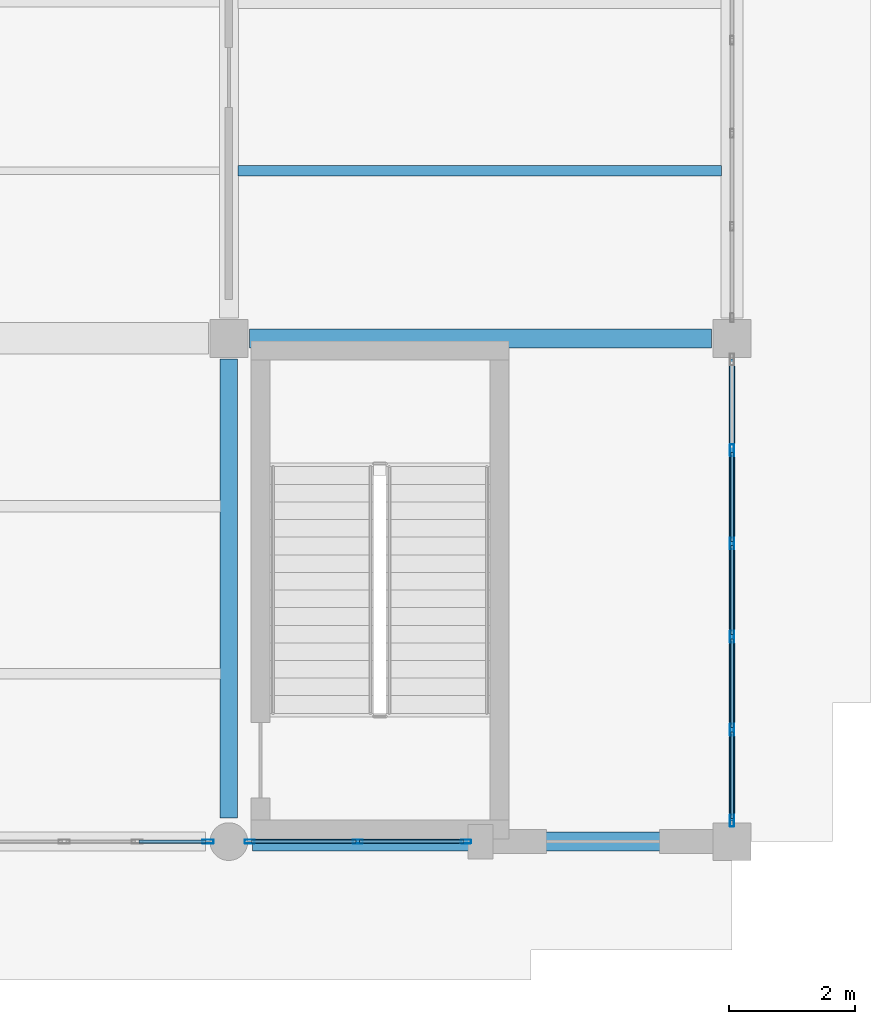
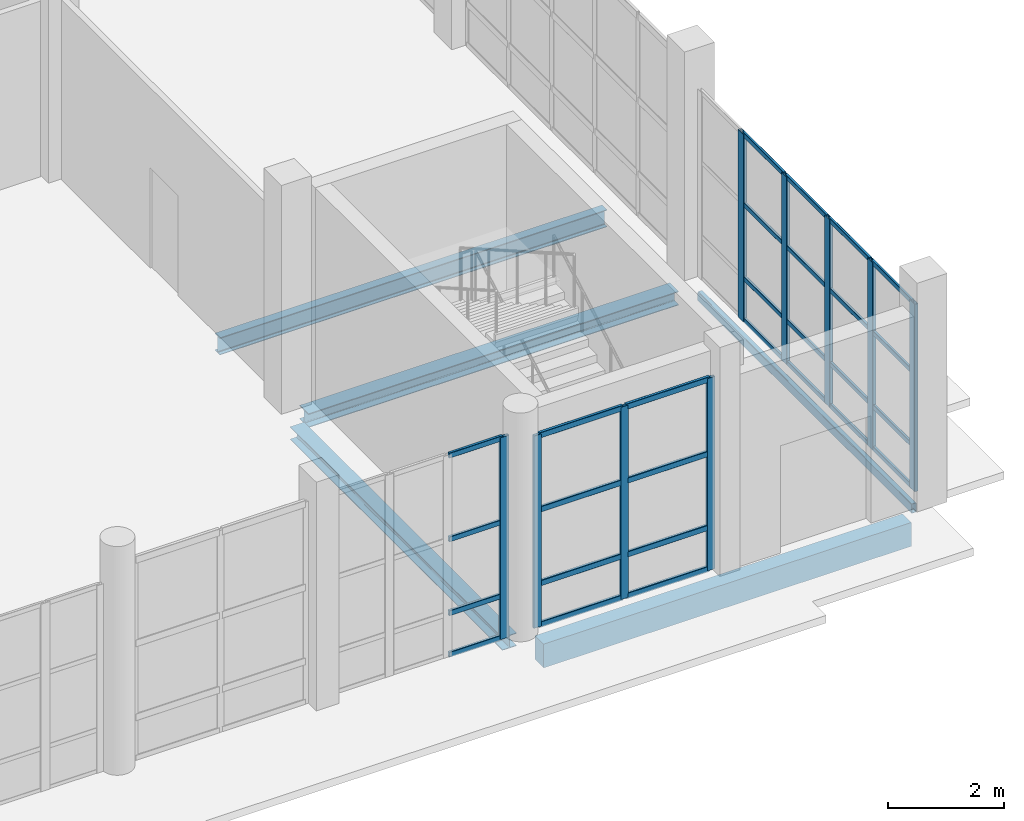
# One storey, part 69 of 156: 37 members, 5 beams, 3 elements without a shape of their own.
"""IFC4 building model written with IfcOpenShell, lengths in metres."""

from ifc_helpers import new_model, si_unit, direction, frame, origin, origin_2d, place, context, subcontext, project, spatial, rectangle, hollow_rectangle, i_section, extrude, material, material_profile, profile_set, type_object, element, aggregate, save


model = new_model("IFC4")

# Units and contexts
model_context = context("Model", 3, precision=1e-05, world=origin(), true_north=direction((0.0, 1.0)))
body_context = subcontext(model_context, "Body", "Model", "MODEL_VIEW")
ifc_project = project(units=[si_unit("LENGTHUNIT", "METRE"), si_unit("AREAUNIT", "SQUARE_METRE"), si_unit("VOLUMEUNIT", "CUBIC_METRE"), si_unit("PLANEANGLEUNIT", "RADIAN"), si_unit("MASSUNIT", "GRAM", prefix="KILO")], contexts=[model_context])

# Site, building, storey
site_placement = place(None, origin())
site = spatial("IfcSite", under=ifc_project, at=site_placement, CompositionType="ELEMENT")
building_placement = place(site_placement, origin())
building = spatial("IfcBuilding", under=site, at=building_placement, Name="Luwemba Playhouse", CompositionType="ELEMENT")
storey_placement = place(building_placement, origin())
storey = spatial("IfcBuildingStorey", under=building, at=storey_placement, Name="L00", CompositionType="ELEMENT", Elevation=0.0)

# Beams
ifc_material_1 = material(Name="Steel S355", Category="steel")
ifc_material_profile_1 = material_profile(ifc_material_1, i_section(OverallWidth=0.280029296875, OverallDepth=0.27001953125, WebThickness=0.008056640625, FlangeThickness=0.012939453125, FilletRadius=0.02392578125, at=origin_2d()))
ifc_profile_set_1 = profile_set([ifc_material_profile_1], Name="Steel S355")
beam_type_1 = type_object("IfcBeamType", Name="BM-SB02", PredefinedType="BEAM", material=ifc_profile_set_1)
beam_1_placement = place(storey_placement, frame((164.0, 3.375, -0.43505859375), z_axis=(0.0, 1.0, 0.0), x_axis=(-1.0, 0.0, 0.0)))
element("IfcBeam", 1, at=beam_1_placement, inside=storey, type_object=beam_type_1, Name="L00 transverse girder 0248", PredefinedType="BEAM", context=body_context, shape_type="SweptSolid", body=[
    extrude(i_section(OverallWidth=0.280029296875, OverallDepth=0.27001953125, WebThickness=0.008056640625, FlangeThickness=0.012939453125, FilletRadius=0.02392578125, at=origin_2d()), origin(), (0.0, 0.0, 1.0), 7.300048828125),
])
ifc_material_profile_2 = material_profile(ifc_material_1, i_section(OverallWidth=0.300048828125, OverallDepth=0.2900390625, WebThickness=0.008544921875, FlangeThickness=0.013916015625, FilletRadius=0.027099609375, at=origin_2d()))
ifc_profile_set_2 = profile_set([ifc_material_profile_2], Name="Steel S355")
beam_type_2 = type_object("IfcBeamType", Name="BM-SB03", PredefinedType="BEAM", material=ifc_profile_set_2)
beam_2_placement = place(storey_placement, frame((164.324951171875, 11.0, -0.445068359375), z_axis=(1.0, 0.0, 0.0), x_axis=(0.0, 1.0, 0.0)))
element("IfcBeam", 2, at=beam_2_placement, inside=storey, type_object=beam_type_2, Name="L00 grid girder 0215", PredefinedType="BEAM", context=body_context, shape_type="SweptSolid", body=[
    extrude(i_section(OverallWidth=0.300048828125, OverallDepth=0.2900390625, WebThickness=0.008544921875, FlangeThickness=0.013916015625, FilletRadius=0.027099609375, at=origin_2d()), origin(), (0.0, 0.0, 1.0), 7.35009765625),
])
ifc_material_profile_3 = material_profile(ifc_material_1, i_section(OverallWidth=0.169921875, OverallDepth=0.360107421875, WebThickness=0.008056640625, FlangeThickness=0.0126953125, FilletRadius=0.01806640625, at=origin_2d()))
ifc_profile_set_3 = profile_set([ifc_material_profile_3], Name="Steel S355")
beam_type_3 = type_object("IfcBeamType", Name="BM-SJ07", PredefinedType="JOIST", material=ifc_profile_set_3)
beam_3_placement = place(storey_placement, frame((164.14599609375, 13.666748046875, -0.47998046875), z_axis=(1.0, 0.0, 0.0), x_axis=(0.0, 1.0, 0.0)))
element("IfcBeam", 3, at=beam_3_placement, inside=storey, type_object=beam_type_3, Name="L00 composite floor joist 0189", PredefinedType="JOIST", context=body_context, shape_type="SweptSolid", body=[
    extrude(i_section(OverallWidth=0.169921875, OverallDepth=0.360107421875, WebThickness=0.008056640625, FlangeThickness=0.0126953125, FilletRadius=0.01806640625, at=origin_2d()), origin(), (0.0, 0.0, 1.0), 7.68310546875),
])
ifc_material_2 = material(Name="Concrete C40/50", Category="concrete")
ifc_material_profile_4 = material_profile(ifc_material_2, rectangle(XDim=0.300048828125, YDim=0.5, at=origin_2d()))
ifc_profile_set_4 = profile_set([ifc_material_profile_4], Name="Concrete C40/50")
beam_type_4 = type_object("IfcBeamType", Name="BM-SP1", PredefinedType="SPANDREL", material=ifc_profile_set_4)
beam_4_placement = place(storey_placement, frame((164.375, 3.0, -0.550048828125), z_axis=(1.0, 0.0, 0.0), x_axis=(0.0, 1.0, 0.0)))
element("IfcBeam", 4, at=beam_4_placement, inside=storey, type_object=beam_type_4, Name="L00 grid girder 0208", PredefinedType="SPANDREL", context=body_context, shape_type="SweptSolid", body=[
    extrude(rectangle(XDim=0.300048828125, YDim=0.5, at=origin_2d()), origin(), (0.0, 0.0, 1.0), 7.300048828125),
])
ifc_material_profile_5 = material_profile(ifc_material_1, hollow_rectangle(XDim=0.10009765625, YDim=0.199951171875, WallThickness=0.008056640625, InnerFilletRadius=0.011962890625, OuterFilletRadius=0.02001953125, at=origin_2d()))
ifc_profile_set_5 = profile_set([ifc_material_profile_5], Name="Steel S355")
beam_type_5 = type_object("IfcBeamType", Name="BM-SSP2", PredefinedType="SPANDREL", material=ifc_profile_set_5)
beam_5_placement = place(storey_placement, frame((172.0, 3.324951171875, -0.39990234375), z_axis=(0.0, 1.0, 0.0), x_axis=(-1.0, 0.0, 0.0)))
element("IfcBeam", 5, at=beam_5_placement, inside=storey, type_object=beam_type_5, Name="L00 transverse girder 0251", PredefinedType="SPANDREL", context=body_context, shape_type="SweptSolid", body=[
    extrude(hollow_rectangle(XDim=0.10009765625, YDim=0.199951171875, WallThickness=0.008056640625, InnerFilletRadius=0.011962890625, OuterFilletRadius=0.02001953125, at=origin_2d()), origin(), (0.0, 0.0, 1.0), 7.35009765625),
])

# Curtain wall, members
ifc_material_3 = material(Name="Solar-control double glazing", Category="glass")
curtain_wall_type_1 = type_object("IfcCurtainWallType", Name="CW-CW60", PredefinedType="USERDEFINED", material=ifc_material_3)
curtain_wall_1_placement = place(storey_placement, origin())
curtain_wall_1 = element("IfcCurtainWall", 6, at=curtain_wall_1_placement, inside=storey, type_object=curtain_wall_type_1, Name="L00 V5E unitised curtain wall 071", ObjectType="UNITISED GLAZING", PredefinedType="USERDEFINED")
ifc_material_4 = material(Name="Aluminium 6063-T6", Category="aluminium")
ifc_material_profile_6 = material_profile(ifc_material_4, hollow_rectangle(XDim=0.06005859375, YDim=0.159912109375, WallThickness=0.00390625, InnerFilletRadius=0.006103515625, OuterFilletRadius=0.010009765625, at=origin_2d()))
ifc_profile_set_6 = profile_set([ifc_material_profile_6], Name="Aluminium 6063-T6")
member_type_1 = type_object("IfcMemberType", Name="CWM-M1", PredefinedType="MULLION", material=ifc_profile_set_6)
member_1_placement = place(storey_placement, frame((167.77001953125, 3.0, 0.0), z_axis=(0.0, 0.0, 1.0), x_axis=(0.0, -1.0, 0.0)))
member_1 = element("IfcMember", 7, at=member_1_placement, type_object=member_type_1, Name="CW60 mullion 1", PredefinedType="MULLION", context=body_context, shape_type="SweptSolid", body=[
    extrude(hollow_rectangle(XDim=0.06005859375, YDim=0.159912109375, WallThickness=0.00390625, InnerFilletRadius=0.006103515625, OuterFilletRadius=0.010009765625, at=origin_2d()), origin(), (0.0, 0.0, 1.0), 4.034912109375),
])
member_2_placement = place(storey_placement, frame((166.050048828125, 3.0, 0.0), z_axis=(0.0, 0.0, 1.0), x_axis=(0.0, -1.0, 0.0)))
member_2 = element("IfcMember", 8, at=member_2_placement, type_object=member_type_1, Name="CW60 mullion 2", PredefinedType="MULLION", context=body_context, shape_type="SweptSolid", body=[
    extrude(hollow_rectangle(XDim=0.06005859375, YDim=0.159912109375, WallThickness=0.00390625, InnerFilletRadius=0.006103515625, OuterFilletRadius=0.010009765625, at=origin_2d()), origin(), (0.0, 0.0, 1.0), 4.034912109375),
])
member_3_placement = place(storey_placement, frame((164.330078125, 3.0, 0.0), z_axis=(0.0, 0.0, 1.0), x_axis=(0.0, -1.0, 0.0)))
member_3 = element("IfcMember", 9, at=member_3_placement, type_object=member_type_1, Name="CW60 mullion 3", PredefinedType="MULLION", context=body_context, shape_type="SweptSolid", body=[
    extrude(hollow_rectangle(XDim=0.06005859375, YDim=0.159912109375, WallThickness=0.00390625, InnerFilletRadius=0.006103515625, OuterFilletRadius=0.010009765625, at=origin_2d()), origin(), (0.0, 0.0, 1.0), 4.034912109375),
])

# Curtain wall, member
curtain_wall_type_2 = type_object("IfcCurtainWallType", Name="CW-CW61", PredefinedType="USERDEFINED", material=ifc_material_3)
curtain_wall_2_placement = place(storey_placement, origin())
curtain_wall_2 = element("IfcCurtainWall", 10, at=curtain_wall_2_placement, inside=storey, type_object=curtain_wall_type_2, Name="L00 V5E unitised curtain wall 072", ObjectType="UNITISED GLAZING", PredefinedType="USERDEFINED")
ifc_material_profile_7 = material_profile(ifc_material_4, hollow_rectangle(XDim=0.06494140625, YDim=0.179931640625, WallThickness=0.00439453125, InnerFilletRadius=0.0068359375, OuterFilletRadius=0.01123046875, at=origin_2d()))
ifc_profile_set_7 = profile_set([ifc_material_profile_7], Name="Aluminium 6063-T6")
member_type_2 = type_object("IfcMemberType", Name="CWM-M2", PredefinedType="MULLION", material=ifc_profile_set_7)
member_4_placement = place(storey_placement, frame((163.66748046875, 3.0, 0.0), z_axis=(0.0, 0.0, 1.0), x_axis=(0.0, -1.0, 0.0)))
member_4 = element("IfcMember", 11, at=member_4_placement, type_object=member_type_2, Name="CW61 mullion 1", PredefinedType="MULLION", context=body_context, shape_type="SweptSolid", body=[
    extrude(hollow_rectangle(XDim=0.06494140625, YDim=0.179931640625, WallThickness=0.00439453125, InnerFilletRadius=0.0068359375, OuterFilletRadius=0.01123046875, at=origin_2d()), origin(), (0.0, 0.0, 1.0), 4.235107421875),
])

# Curtain wall, members
curtain_wall_type_3 = type_object("IfcCurtainWallType", Name="CW-CW06", PredefinedType="USERDEFINED", material=ifc_material_3)
curtain_wall_3_placement = place(storey_placement, origin())
curtain_wall_3 = element("IfcCurtainWall", 12, at=curtain_wall_3_placement, inside=storey, type_object=curtain_wall_type_3, Name="L00 V5E unitised curtain wall 070", ObjectType="UNITISED GLAZING", PredefinedType="USERDEFINED")
ifc_material_profile_8 = material_profile(ifc_material_4, hollow_rectangle(XDim=0.070068359375, YDim=0.18994140625, WallThickness=0.0048828125, InnerFilletRadius=0.007568359375, OuterFilletRadius=0.012451171875, at=origin_2d()))
ifc_profile_set_8 = profile_set([ifc_material_profile_8], Name="Aluminium 6063-T6")
member_type_3 = type_object("IfcMemberType", Name="CWM-M4", PredefinedType="MULLION", material=ifc_profile_set_8)
member_5_placement = place(storey_placement, frame((172.0, 9.219970703125, 0.0), z_axis=(0.0, 0.0, 1.0), x_axis=(1.0, 0.0, 0.0)))
member_5 = element("IfcMember", 13, at=member_5_placement, type_object=member_type_3, Name="CW06 mullion 2", PredefinedType="MULLION", context=body_context, shape_type="SweptSolid", body=[
    extrude(hollow_rectangle(XDim=0.070068359375, YDim=0.18994140625, WallThickness=0.0048828125, InnerFilletRadius=0.007568359375, OuterFilletRadius=0.012451171875, at=origin_2d()), origin(), (0.0, 0.0, 1.0), 3.93505859375),
])
member_6_placement = place(storey_placement, frame((172.0, 7.739990234375, 0.0), z_axis=(0.0, 0.0, 1.0), x_axis=(1.0, 0.0, 0.0)))
member_6 = element("IfcMember", 14, at=member_6_placement, type_object=member_type_3, Name="CW06 mullion 3", PredefinedType="MULLION", context=body_context, shape_type="SweptSolid", body=[
    extrude(hollow_rectangle(XDim=0.070068359375, YDim=0.18994140625, WallThickness=0.0048828125, InnerFilletRadius=0.007568359375, OuterFilletRadius=0.012451171875, at=origin_2d()), origin(), (0.0, 0.0, 1.0), 3.93505859375),
])
member_7_placement = place(storey_placement, frame((172.0, 6.260009765625, 0.0), z_axis=(0.0, 0.0, 1.0), x_axis=(1.0, 0.0, 0.0)))
member_7 = element("IfcMember", 15, at=member_7_placement, type_object=member_type_3, Name="CW06 mullion 4", PredefinedType="MULLION", context=body_context, shape_type="SweptSolid", body=[
    extrude(hollow_rectangle(XDim=0.070068359375, YDim=0.18994140625, WallThickness=0.0048828125, InnerFilletRadius=0.007568359375, OuterFilletRadius=0.012451171875, at=origin_2d()), origin(), (0.0, 0.0, 1.0), 3.93505859375),
])
member_8_placement = place(storey_placement, frame((172.0, 4.780029296875, 0.0), z_axis=(0.0, 0.0, 1.0), x_axis=(1.0, 0.0, 0.0)))
member_8 = element("IfcMember", 16, at=member_8_placement, type_object=member_type_3, Name="CW06 mullion 5", PredefinedType="MULLION", context=body_context, shape_type="SweptSolid", body=[
    extrude(hollow_rectangle(XDim=0.070068359375, YDim=0.18994140625, WallThickness=0.0048828125, InnerFilletRadius=0.007568359375, OuterFilletRadius=0.012451171875, at=origin_2d()), origin(), (0.0, 0.0, 1.0), 3.93505859375),
])
member_9_placement = place(storey_placement, frame((172.0, 3.3349609375, 0.0), z_axis=(0.0, 0.0, 1.0), x_axis=(1.0, 0.0, 0.0)))
member_9 = element("IfcMember", 17, at=member_9_placement, type_object=member_type_3, Name="CW06 mullion 6", PredefinedType="MULLION", context=body_context, shape_type="SweptSolid", body=[
    extrude(hollow_rectangle(XDim=0.070068359375, YDim=0.18994140625, WallThickness=0.0048828125, InnerFilletRadius=0.007568359375, OuterFilletRadius=0.012451171875, at=origin_2d()), origin(), (0.0, 0.0, 1.0), 3.93505859375),
])

# Member
ifc_material_profile_9 = material_profile(ifc_material_4, hollow_rectangle(XDim=0.06005859375, YDim=0.1201171875, WallThickness=0.00390625, InnerFilletRadius=0.006103515625, OuterFilletRadius=0.010009765625, at=origin_2d()))
ifc_profile_set_9 = profile_set([ifc_material_profile_9], Name="Aluminium 6063-T6")
member_type_4 = type_object("IfcMemberType", Name="CWT-T1", PredefinedType="USERDEFINED", material=ifc_profile_set_9)
member_10_placement = place(storey_placement, frame((167.739990234375, 3.0, 0.030029296875), z_axis=(-1.0, 0.0, 0.0), x_axis=(0.0, -1.0, 0.0)))
member_10 = element("IfcMember", 18, at=member_10_placement, type_object=member_type_4, Name="CW60 transom 1.1", ObjectType="TRANSOM", PredefinedType="USERDEFINED", context=body_context, shape_type="SweptSolid", body=[
    extrude(hollow_rectangle(XDim=0.06005859375, YDim=0.1201171875, WallThickness=0.00390625, InnerFilletRadius=0.006103515625, OuterFilletRadius=0.010009765625, at=origin_2d()), origin(), (0.0, 0.0, 1.0), 1.659912109375),
])

member_11_placement = place(storey_placement, frame((167.739990234375, 3.0, 0.89990234375), z_axis=(-1.0, 0.0, 0.0), x_axis=(0.0, -1.0, 0.0)))
member_11 = element("IfcMember", 19, at=member_11_placement, type_object=member_type_4, Name="CW60 transom 1.2", ObjectType="TRANSOM", PredefinedType="USERDEFINED", context=body_context, shape_type="SweptSolid", body=[
    extrude(hollow_rectangle(XDim=0.06005859375, YDim=0.1201171875, WallThickness=0.00390625, InnerFilletRadius=0.006103515625, OuterFilletRadius=0.010009765625, at=origin_2d()), origin(), (0.0, 0.0, 1.0), 1.659912109375),
])

member_12_placement = place(storey_placement, frame((167.739990234375, 3.0, 2.449951171875), z_axis=(-1.0, 0.0, 0.0), x_axis=(0.0, -1.0, 0.0)))
member_12 = element("IfcMember", 20, at=member_12_placement, type_object=member_type_4, Name="CW60 transom 1.3", ObjectType="TRANSOM", PredefinedType="USERDEFINED", context=body_context, shape_type="SweptSolid", body=[
    extrude(hollow_rectangle(XDim=0.06005859375, YDim=0.1201171875, WallThickness=0.00390625, InnerFilletRadius=0.006103515625, OuterFilletRadius=0.010009765625, at=origin_2d()), origin(), (0.0, 0.0, 1.0), 1.659912109375),
])

member_13_placement = place(storey_placement, frame((167.739990234375, 3.0, 4.0048828125), z_axis=(-1.0, 0.0, 0.0), x_axis=(0.0, -1.0, 0.0)))
member_13 = element("IfcMember", 21, at=member_13_placement, type_object=member_type_4, Name="CW60 transom 1.4", ObjectType="TRANSOM", PredefinedType="USERDEFINED", context=body_context, shape_type="SweptSolid", body=[
    extrude(hollow_rectangle(XDim=0.06005859375, YDim=0.1201171875, WallThickness=0.00390625, InnerFilletRadius=0.006103515625, OuterFilletRadius=0.010009765625, at=origin_2d()), origin(), (0.0, 0.0, 1.0), 1.659912109375),
])

member_14_placement = place(storey_placement, frame((166.02001953125, 3.0, 0.030029296875), z_axis=(-1.0, 0.0, 0.0), x_axis=(0.0, -1.0, 0.0)))
member_14 = element("IfcMember", 22, at=member_14_placement, type_object=member_type_4, Name="CW60 transom 2.1", ObjectType="TRANSOM", PredefinedType="USERDEFINED", context=body_context, shape_type="SweptSolid", body=[
    extrude(hollow_rectangle(XDim=0.06005859375, YDim=0.1201171875, WallThickness=0.00390625, InnerFilletRadius=0.006103515625, OuterFilletRadius=0.010009765625, at=origin_2d()), origin(), (0.0, 0.0, 1.0), 1.659912109375),
])

member_15_placement = place(storey_placement, frame((166.02001953125, 3.0, 0.89990234375), z_axis=(-1.0, 0.0, 0.0), x_axis=(0.0, -1.0, 0.0)))
member_15 = element("IfcMember", 23, at=member_15_placement, type_object=member_type_4, Name="CW60 transom 2.2", ObjectType="TRANSOM", PredefinedType="USERDEFINED", context=body_context, shape_type="SweptSolid", body=[
    extrude(hollow_rectangle(XDim=0.06005859375, YDim=0.1201171875, WallThickness=0.00390625, InnerFilletRadius=0.006103515625, OuterFilletRadius=0.010009765625, at=origin_2d()), origin(), (0.0, 0.0, 1.0), 1.659912109375),
])

member_16_placement = place(storey_placement, frame((166.02001953125, 3.0, 2.449951171875), z_axis=(-1.0, 0.0, 0.0), x_axis=(0.0, -1.0, 0.0)))
member_16 = element("IfcMember", 24, at=member_16_placement, type_object=member_type_4, Name="CW60 transom 2.3", ObjectType="TRANSOM", PredefinedType="USERDEFINED", context=body_context, shape_type="SweptSolid", body=[
    extrude(hollow_rectangle(XDim=0.06005859375, YDim=0.1201171875, WallThickness=0.00390625, InnerFilletRadius=0.006103515625, OuterFilletRadius=0.010009765625, at=origin_2d()), origin(), (0.0, 0.0, 1.0), 1.659912109375),
])

member_17_placement = place(storey_placement, frame((166.02001953125, 3.0, 4.0048828125), z_axis=(-1.0, 0.0, 0.0), x_axis=(0.0, -1.0, 0.0)))
member_17 = element("IfcMember", 25, at=member_17_placement, type_object=member_type_4, Name="CW60 transom 2.4", ObjectType="TRANSOM", PredefinedType="USERDEFINED", context=body_context, shape_type="SweptSolid", body=[
    extrude(hollow_rectangle(XDim=0.06005859375, YDim=0.1201171875, WallThickness=0.00390625, InnerFilletRadius=0.006103515625, OuterFilletRadius=0.010009765625, at=origin_2d()), origin(), (0.0, 0.0, 1.0), 1.659912109375),
])

aggregate(curtain_wall_1, [member_1, member_2, member_3, member_10, member_11, member_12, member_13, member_14, member_15, member_16, member_17])

ifc_material_profile_10 = material_profile(ifc_material_4, hollow_rectangle(XDim=0.054931640625, YDim=0.110107421875, WallThickness=0.00341796875, InnerFilletRadius=0.00537109375, OuterFilletRadius=0.0087890625, at=origin_2d()))
ifc_profile_set_10 = profile_set([ifc_material_profile_10], Name="Aluminium 6063-T6")
member_type_5 = type_object("IfcMemberType", Name="CWT-T2", PredefinedType="USERDEFINED", material=ifc_profile_set_10)
member_18_placement = place(storey_placement, frame((163.635009765625, 3.0, 0.027587890625), z_axis=(-1.0, 0.0, 0.0), x_axis=(0.0, -1.0, 0.0)))
member_18 = element("IfcMember", 26, at=member_18_placement, type_object=member_type_5, Name="CW61 transom 1.1", ObjectType="TRANSOM", PredefinedType="USERDEFINED", context=body_context, shape_type="SweptSolid", body=[
    extrude(hollow_rectangle(XDim=0.054931640625, YDim=0.110107421875, WallThickness=0.00341796875, InnerFilletRadius=0.00537109375, OuterFilletRadius=0.0087890625, at=origin_2d()), origin(), (0.0, 0.0, 1.0), 1.060791015625),
])

member_19_placement = place(storey_placement, frame((163.635009765625, 3.0, 0.89990234375), z_axis=(-1.0, 0.0, 0.0), x_axis=(0.0, -1.0, 0.0)))
member_19 = element("IfcMember", 27, at=member_19_placement, type_object=member_type_5, Name="CW61 transom 1.2", ObjectType="TRANSOM", PredefinedType="USERDEFINED", context=body_context, shape_type="SweptSolid", body=[
    extrude(hollow_rectangle(XDim=0.054931640625, YDim=0.110107421875, WallThickness=0.00341796875, InnerFilletRadius=0.00537109375, OuterFilletRadius=0.0087890625, at=origin_2d()), origin(), (0.0, 0.0, 1.0), 1.060791015625),
])

member_20_placement = place(storey_placement, frame((163.635009765625, 3.0, 2.449951171875), z_axis=(-1.0, 0.0, 0.0), x_axis=(0.0, -1.0, 0.0)))
member_20 = element("IfcMember", 28, at=member_20_placement, type_object=member_type_5, Name="CW61 transom 1.3", ObjectType="TRANSOM", PredefinedType="USERDEFINED", context=body_context, shape_type="SweptSolid", body=[
    extrude(hollow_rectangle(XDim=0.054931640625, YDim=0.110107421875, WallThickness=0.00341796875, InnerFilletRadius=0.00537109375, OuterFilletRadius=0.0087890625, at=origin_2d()), origin(), (0.0, 0.0, 1.0), 1.060791015625),
])

member_21_placement = place(storey_placement, frame((163.635009765625, 3.0, 4.20751953125), z_axis=(-1.0, 0.0, 0.0), x_axis=(0.0, -1.0, 0.0)))
member_21 = element("IfcMember", 29, at=member_21_placement, type_object=member_type_5, Name="CW61 transom 1.4", ObjectType="TRANSOM", PredefinedType="USERDEFINED", context=body_context, shape_type="SweptSolid", body=[
    extrude(hollow_rectangle(XDim=0.054931640625, YDim=0.110107421875, WallThickness=0.00341796875, InnerFilletRadius=0.00537109375, OuterFilletRadius=0.0087890625, at=origin_2d()), origin(), (0.0, 0.0, 1.0), 1.060791015625),
])

aggregate(curtain_wall_2, [member_4, member_18, member_19, member_20, member_21])

ifc_material_profile_11 = material_profile(ifc_material_4, hollow_rectangle(XDim=0.050048828125, YDim=0.10009765625, WallThickness=0.00341796875, InnerFilletRadius=0.00537109375, OuterFilletRadius=0.0087890625, at=origin_2d()))
ifc_profile_set_11 = profile_set([ifc_material_profile_11], Name="Aluminium 6063-T6")
member_type_6 = type_object("IfcMemberType", Name="CWT-T4", PredefinedType="USERDEFINED", material=ifc_profile_set_11)
member_22_placement = place(storey_placement, frame((172.0, 9.18505859375, 0.02490234375), z_axis=(0.0, -1.0, 0.0), x_axis=(1.0, 0.0, 0.0)))
member_22 = element("IfcMember", 30, at=member_22_placement, type_object=member_type_6, Name="CW06 transom 2.1", ObjectType="TRANSOM", PredefinedType="USERDEFINED", context=body_context, shape_type="SweptSolid", body=[
    extrude(hollow_rectangle(XDim=0.050048828125, YDim=0.10009765625, WallThickness=0.00341796875, InnerFilletRadius=0.00537109375, OuterFilletRadius=0.0087890625, at=origin_2d()), origin(), (0.0, 0.0, 1.0), 1.41015625),
])

member_23_placement = place(storey_placement, frame((172.0, 9.18505859375, 0.89990234375), z_axis=(0.0, -1.0, 0.0), x_axis=(1.0, 0.0, 0.0)))
member_23 = element("IfcMember", 31, at=member_23_placement, type_object=member_type_6, Name="CW06 transom 2.2", ObjectType="TRANSOM", PredefinedType="USERDEFINED", context=body_context, shape_type="SweptSolid", body=[
    extrude(hollow_rectangle(XDim=0.050048828125, YDim=0.10009765625, WallThickness=0.00341796875, InnerFilletRadius=0.00537109375, OuterFilletRadius=0.0087890625, at=origin_2d()), origin(), (0.0, 0.0, 1.0), 1.41015625),
])

member_24_placement = place(storey_placement, frame((172.0, 9.18505859375, 2.449951171875), z_axis=(0.0, -1.0, 0.0), x_axis=(1.0, 0.0, 0.0)))
member_24 = element("IfcMember", 32, at=member_24_placement, type_object=member_type_6, Name="CW06 transom 2.3", ObjectType="TRANSOM", PredefinedType="USERDEFINED", context=body_context, shape_type="SweptSolid", body=[
    extrude(hollow_rectangle(XDim=0.050048828125, YDim=0.10009765625, WallThickness=0.00341796875, InnerFilletRadius=0.00537109375, OuterFilletRadius=0.0087890625, at=origin_2d()), origin(), (0.0, 0.0, 1.0), 1.41015625),
])

member_25_placement = place(storey_placement, frame((172.0, 9.18505859375, 3.909912109375), z_axis=(0.0, -1.0, 0.0), x_axis=(1.0, 0.0, 0.0)))
member_25 = element("IfcMember", 33, at=member_25_placement, type_object=member_type_6, Name="CW06 transom 2.4", ObjectType="TRANSOM", PredefinedType="USERDEFINED", context=body_context, shape_type="SweptSolid", body=[
    extrude(hollow_rectangle(XDim=0.050048828125, YDim=0.10009765625, WallThickness=0.00341796875, InnerFilletRadius=0.00537109375, OuterFilletRadius=0.0087890625, at=origin_2d()), origin(), (0.0, 0.0, 1.0), 1.41015625),
])

member_26_placement = place(storey_placement, frame((172.0, 7.705078125, 0.02490234375), z_axis=(0.0, -1.0, 0.0), x_axis=(1.0, 0.0, 0.0)))
member_26 = element("IfcMember", 34, at=member_26_placement, type_object=member_type_6, Name="CW06 transom 3.1", ObjectType="TRANSOM", PredefinedType="USERDEFINED", context=body_context, shape_type="SweptSolid", body=[
    extrude(hollow_rectangle(XDim=0.050048828125, YDim=0.10009765625, WallThickness=0.00341796875, InnerFilletRadius=0.00537109375, OuterFilletRadius=0.0087890625, at=origin_2d()), origin(), (0.0, 0.0, 1.0), 1.41015625),
])

member_27_placement = place(storey_placement, frame((172.0, 7.705078125, 0.89990234375), z_axis=(0.0, -1.0, 0.0), x_axis=(1.0, 0.0, 0.0)))
member_27 = element("IfcMember", 35, at=member_27_placement, type_object=member_type_6, Name="CW06 transom 3.2", ObjectType="TRANSOM", PredefinedType="USERDEFINED", context=body_context, shape_type="SweptSolid", body=[
    extrude(hollow_rectangle(XDim=0.050048828125, YDim=0.10009765625, WallThickness=0.00341796875, InnerFilletRadius=0.00537109375, OuterFilletRadius=0.0087890625, at=origin_2d()), origin(), (0.0, 0.0, 1.0), 1.41015625),
])

member_28_placement = place(storey_placement, frame((172.0, 7.705078125, 2.449951171875), z_axis=(0.0, -1.0, 0.0), x_axis=(1.0, 0.0, 0.0)))
member_28 = element("IfcMember", 36, at=member_28_placement, type_object=member_type_6, Name="CW06 transom 3.3", ObjectType="TRANSOM", PredefinedType="USERDEFINED", context=body_context, shape_type="SweptSolid", body=[
    extrude(hollow_rectangle(XDim=0.050048828125, YDim=0.10009765625, WallThickness=0.00341796875, InnerFilletRadius=0.00537109375, OuterFilletRadius=0.0087890625, at=origin_2d()), origin(), (0.0, 0.0, 1.0), 1.41015625),
])

member_29_placement = place(storey_placement, frame((172.0, 7.705078125, 3.909912109375), z_axis=(0.0, -1.0, 0.0), x_axis=(1.0, 0.0, 0.0)))
member_29 = element("IfcMember", 37, at=member_29_placement, type_object=member_type_6, Name="CW06 transom 3.4", ObjectType="TRANSOM", PredefinedType="USERDEFINED", context=body_context, shape_type="SweptSolid", body=[
    extrude(hollow_rectangle(XDim=0.050048828125, YDim=0.10009765625, WallThickness=0.00341796875, InnerFilletRadius=0.00537109375, OuterFilletRadius=0.0087890625, at=origin_2d()), origin(), (0.0, 0.0, 1.0), 1.41015625),
])

member_30_placement = place(storey_placement, frame((172.0, 6.22509765625, 0.02490234375), z_axis=(0.0, -1.0, 0.0), x_axis=(1.0, 0.0, 0.0)))
member_30 = element("IfcMember", 38, at=member_30_placement, type_object=member_type_6, Name="CW06 transom 4.1", ObjectType="TRANSOM", PredefinedType="USERDEFINED", context=body_context, shape_type="SweptSolid", body=[
    extrude(hollow_rectangle(XDim=0.050048828125, YDim=0.10009765625, WallThickness=0.00341796875, InnerFilletRadius=0.00537109375, OuterFilletRadius=0.0087890625, at=origin_2d()), origin(), (0.0, 0.0, 1.0), 1.41015625),
])

member_31_placement = place(storey_placement, frame((172.0, 6.22509765625, 0.89990234375), z_axis=(0.0, -1.0, 0.0), x_axis=(1.0, 0.0, 0.0)))
member_31 = element("IfcMember", 39, at=member_31_placement, type_object=member_type_6, Name="CW06 transom 4.2", ObjectType="TRANSOM", PredefinedType="USERDEFINED", context=body_context, shape_type="SweptSolid", body=[
    extrude(hollow_rectangle(XDim=0.050048828125, YDim=0.10009765625, WallThickness=0.00341796875, InnerFilletRadius=0.00537109375, OuterFilletRadius=0.0087890625, at=origin_2d()), origin(), (0.0, 0.0, 1.0), 1.41015625),
])

member_32_placement = place(storey_placement, frame((172.0, 6.22509765625, 2.449951171875), z_axis=(0.0, -1.0, 0.0), x_axis=(1.0, 0.0, 0.0)))
member_32 = element("IfcMember", 40, at=member_32_placement, type_object=member_type_6, Name="CW06 transom 4.3", ObjectType="TRANSOM", PredefinedType="USERDEFINED", context=body_context, shape_type="SweptSolid", body=[
    extrude(hollow_rectangle(XDim=0.050048828125, YDim=0.10009765625, WallThickness=0.00341796875, InnerFilletRadius=0.00537109375, OuterFilletRadius=0.0087890625, at=origin_2d()), origin(), (0.0, 0.0, 1.0), 1.41015625),
])

member_33_placement = place(storey_placement, frame((172.0, 6.22509765625, 3.909912109375), z_axis=(0.0, -1.0, 0.0), x_axis=(1.0, 0.0, 0.0)))
member_33 = element("IfcMember", 41, at=member_33_placement, type_object=member_type_6, Name="CW06 transom 4.4", ObjectType="TRANSOM", PredefinedType="USERDEFINED", context=body_context, shape_type="SweptSolid", body=[
    extrude(hollow_rectangle(XDim=0.050048828125, YDim=0.10009765625, WallThickness=0.00341796875, InnerFilletRadius=0.00537109375, OuterFilletRadius=0.0087890625, at=origin_2d()), origin(), (0.0, 0.0, 1.0), 1.41015625),
])

member_34_placement = place(storey_placement, frame((172.0, 4.7451171875, 0.02490234375), z_axis=(0.0, -1.0, 0.0), x_axis=(1.0, 0.0, 0.0)))
member_34 = element("IfcMember", 42, at=member_34_placement, type_object=member_type_6, Name="CW06 transom 5.1", ObjectType="TRANSOM", PredefinedType="USERDEFINED", context=body_context, shape_type="SweptSolid", body=[
    extrude(hollow_rectangle(XDim=0.050048828125, YDim=0.10009765625, WallThickness=0.00341796875, InnerFilletRadius=0.00537109375, OuterFilletRadius=0.0087890625, at=origin_2d()), origin(), (0.0, 0.0, 1.0), 1.375),
])

member_35_placement = place(storey_placement, frame((172.0, 4.7451171875, 0.89990234375), z_axis=(0.0, -1.0, 0.0), x_axis=(1.0, 0.0, 0.0)))
member_35 = element("IfcMember", 43, at=member_35_placement, type_object=member_type_6, Name="CW06 transom 5.2", ObjectType="TRANSOM", PredefinedType="USERDEFINED", context=body_context, shape_type="SweptSolid", body=[
    extrude(hollow_rectangle(XDim=0.050048828125, YDim=0.10009765625, WallThickness=0.00341796875, InnerFilletRadius=0.00537109375, OuterFilletRadius=0.0087890625, at=origin_2d()), origin(), (0.0, 0.0, 1.0), 1.375),
])

member_36_placement = place(storey_placement, frame((172.0, 4.7451171875, 2.449951171875), z_axis=(0.0, -1.0, 0.0), x_axis=(1.0, 0.0, 0.0)))
member_36 = element("IfcMember", 44, at=member_36_placement, type_object=member_type_6, Name="CW06 transom 5.3", ObjectType="TRANSOM", PredefinedType="USERDEFINED", context=body_context, shape_type="SweptSolid", body=[
    extrude(hollow_rectangle(XDim=0.050048828125, YDim=0.10009765625, WallThickness=0.00341796875, InnerFilletRadius=0.00537109375, OuterFilletRadius=0.0087890625, at=origin_2d()), origin(), (0.0, 0.0, 1.0), 1.375),
])

member_37_placement = place(storey_placement, frame((172.0, 4.7451171875, 3.909912109375), z_axis=(0.0, -1.0, 0.0), x_axis=(1.0, 0.0, 0.0)))
member_37 = element("IfcMember", 45, at=member_37_placement, type_object=member_type_6, Name="CW06 transom 5.4", ObjectType="TRANSOM", PredefinedType="USERDEFINED", context=body_context, shape_type="SweptSolid", body=[
    extrude(hollow_rectangle(XDim=0.050048828125, YDim=0.10009765625, WallThickness=0.00341796875, InnerFilletRadius=0.00537109375, OuterFilletRadius=0.0087890625, at=origin_2d()), origin(), (0.0, 0.0, 1.0), 1.375),
])

aggregate(curtain_wall_3, [member_5, member_6, member_7, member_8, member_9, member_22, member_23, member_24, member_25, member_26, member_27, member_28, member_29, member_30, member_31, member_32, member_33, member_34, member_35, member_36, member_37])

save(model, "model.ifc")
